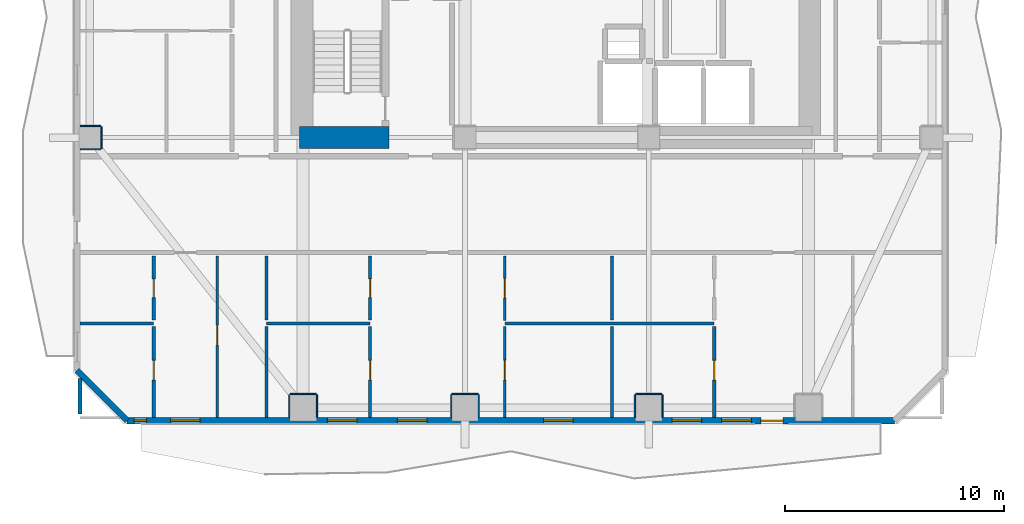
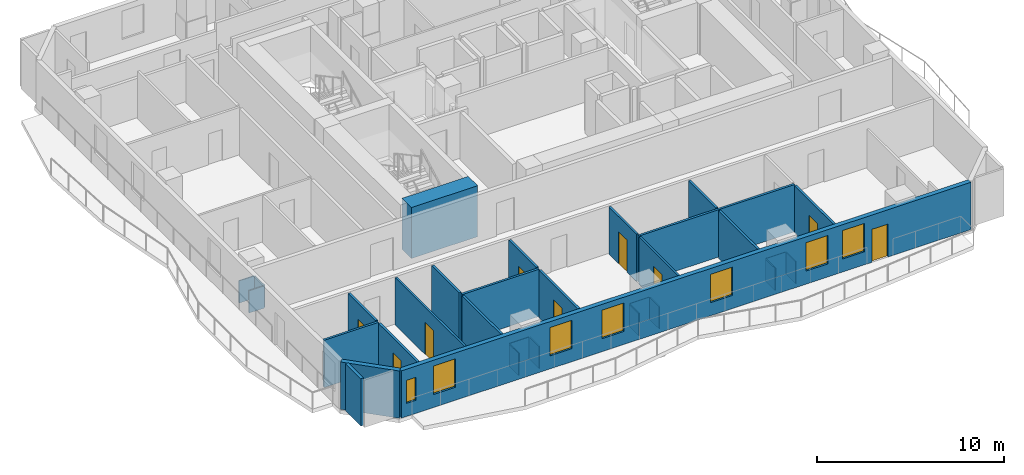
# One storey, part 2 of 11: 31 walls, 9 doors, 7 windows, 16 openings.
"""IFC4 building model written with IfcOpenShell, lengths in metres."""

import ifcopenshell
import ifcopenshell.guid

model = None  # the IFC model being written
_history = None  # IfcOwnerHistory: only IFC2X3 demands one
_inside = {}  # id of a spatial element -> (the spatial element, [elements in it])
_under = {}  # id of a project, library or spatial element -> (it, [spatial elements below it])
_declared = {}  # id of a project -> (the project, [libraries it declares])
_typed = {}  # id of a type object -> (the type object, [elements of that type])
_made_of = {}  # id of a material, layer set ... -> (it, [elements and type objects made of it])


def new_model(schema):
    """Start an empty IFC model of exactly this schema.

    Asked for "IFC4X3", IfcOpenShell would pick the latest addendum, in which some entities
    have other attributes; the version numbers below select the first issue.
    IFC2X3 requires an IfcOwnerHistory on every rooted entity: one is made here for all.
    """
    global model, _history
    if schema == "IFC4X3":
        model = ifcopenshell.file(schema_version=(4, 3, 0, 0))
    else:
        model = ifcopenshell.file(schema=schema)
    _inside.clear()
    _under.clear()
    _declared.clear()
    _typed.clear()
    _made_of.clear()
    _history = None
    if model.schema == "IFC2X3":
        org = make("IfcOrganization", Name="unknown")
        user = make(
            "IfcPersonAndOrganization",
            ThePerson=make("IfcPerson", FamilyName="unknown"),
            TheOrganization=org,
        )
        app = make(
            "IfcApplication",
            ApplicationDeveloper=org,
            Version="unknown",
            ApplicationFullName="unknown",
            ApplicationIdentifier="unknown",
        )
        _history = make(
            "IfcOwnerHistory",
            OwningUser=user,
            OwningApplication=app,
            ChangeAction="ADDED",
            CreationDate=0,
        )
    return model


def make(cls, **values):
    """One entity of the class cls with the attributes given. An attribute that is None is left unset."""
    return model.create_entity(
        cls, **{name: value for name, value in values.items() if value is not None}
    )


def rooted(cls, **values):
    """An entity with a GlobalId (a new one), such as an element, a storey or a relation."""
    return make(cls, GlobalId=ifcopenshell.guid.new(), OwnerHistory=_history, **values)


def si_unit(unit_type, name, prefix=None):
    """IfcSIUnit, for example si_unit("LENGTHUNIT", "METRE", prefix="MILLI")."""
    return make("IfcSIUnit", UnitType=unit_type, Prefix=prefix, Name=name)


def assignment(units):
    """IfcUnitAssignment: the units of a project."""
    return None if units is None else make("IfcUnitAssignment", Units=units)


def point(xyz):
    """IfcCartesianPoint."""
    return None if xyz is None else make("IfcCartesianPoint", Coordinates=xyz)


def direction(xyz):
    """IfcDirection."""
    return None if xyz is None else make("IfcDirection", DirectionRatios=xyz)


def frame(location, z_axis=None, x_axis=None):
    """IfcAxis2Placement3D, a coordinate frame: its origin and axes. An axis left out is left unset."""
    return make(
        "IfcAxis2Placement3D",
        Location=point(location),
        Axis=direction(z_axis),
        RefDirection=direction(x_axis),
    )


def frame_2d(location, x_axis=None):
    """IfcAxis2Placement2D, a coordinate frame in the plane: its origin and x axis."""
    return make(
        "IfcAxis2Placement2D", Location=point(location), RefDirection=direction(x_axis)
    )


def origin():
    """The frame at (0, 0, 0) with its axes left unset."""
    return frame((0.0, 0.0, 0.0))


def place(relative_to, where):
    """IfcLocalPlacement: puts the frame where relative to a parent placement (None: the world)."""
    return make(
        "IfcLocalPlacement", PlacementRelTo=relative_to, RelativePlacement=where
    )


def context(
    kind, dimensions, precision=None, world=None, true_north=None, identifier=None
):
    """IfcGeometricRepresentationContext, for example the 3D "Model" context."""
    return make(
        "IfcGeometricRepresentationContext",
        ContextIdentifier=identifier,
        ContextType=kind,
        CoordinateSpaceDimension=dimensions,
        Precision=precision,
        WorldCoordinateSystem=world,
        TrueNorth=true_north,
    )


def subcontext(parent, identifier, kind, view, scale=None):
    """IfcGeometricRepresentationSubContext, for example "Body" below "Model"."""
    return make(
        "IfcGeometricRepresentationSubContext",
        ContextIdentifier=identifier,
        ContextType=kind,
        ParentContext=parent,
        TargetScale=scale,
        TargetView=view,
    )


def project(units=None, contexts=None):
    """IfcProject with its units and contexts."""
    return rooted(
        "IfcProject",
        Name="project",
        RepresentationContexts=contexts,
        UnitsInContext=assignment(units),
    )


def spatial(cls, under=None, at=None, **own):
    """A site, building, storey or space (cls), placed at a placement, below another one or the project."""
    s = rooted(cls, ObjectPlacement=at, **own)
    if under is not None:
        _under.setdefault(under.id(), (under, []))[1].append(s)
    return s


def profile(cls, at=None, kind="AREA", **sizes):
    """A parametric profile (cls). Its sizes go by their IFC names, for example OverallWidth=200.0."""
    return make(cls, ProfileType=kind, Position=at, **sizes)


def rectangle(**sizes):
    """IfcRectangleProfileDef."""
    return profile("IfcRectangleProfileDef", **sizes)


def extrude(swept, where, along, depth):
    """IfcExtrudedAreaSolid: the profile swept, set in the frame where, extruded along a direction by depth."""
    return make(
        "IfcExtrudedAreaSolid",
        SweptArea=swept,
        Position=where,
        ExtrudedDirection=direction(along),
        Depth=depth,
    )


def shape(context_of_items, identifier, shape_type, items):
    """IfcShapeRepresentation: the items that make up one representation, for example the "Body"."""
    return make(
        "IfcShapeRepresentation",
        ContextOfItems=context_of_items,
        RepresentationIdentifier=identifier,
        RepresentationType=shape_type,
        Items=items,
    )


def material(Name=None, Category=None):
    """IfcMaterial."""
    return make("IfcMaterial", Name=Name, Category=Category)


def layer(
    of_material, thickness, ventilated=None, Name=None, Category=None, Priority=None
):
    """IfcMaterialLayer: one layer of a wall or slab, of a material (None: an air gap)."""
    return make(
        "IfcMaterialLayer",
        Material=of_material,
        LayerThickness=thickness,
        IsVentilated=ventilated,
        Name=Name,
        Category=Category,
        Priority=Priority,
    )


def layer_set(layers, Name=None):
    """IfcMaterialLayerSet."""
    return make("IfcMaterialLayerSet", MaterialLayers=layers, LayerSetName=Name)


def made_of(thing, what):
    """Note that an element or type object is made of a material, layer set ...; save() writes the relation."""
    if what is not None:
        _made_of.setdefault(what.id(), (what, []))[1].append(thing)
    return thing


def type_object(cls, material=None, **own):
    """A type object (cls), such as IfcWallType, which elements share."""
    return made_of(rooted(cls, **own), material)


def element(
    cls,
    number,
    at=None,
    inside=None,
    cuts=None,
    type_object=None,
    material=None,
    context=None,
    identifier="Body",
    shape_type=None,
    held_by="IfcProductDefinitionShape",
    body=None,
    shapes=None,
    **own,
):
    """One element of the class cls, such as IfcWall. Its Tag is "e" and its number.

    at: its placement. inside: the storey or other place that contains it. cuts: it is an
    opening in that element (IfcRelVoidsElement). A single representation is given by context,
    identifier, shape_type and body (its items); several are given by shapes. held_by: the class
    of the entity that holds the representations. save() writes the other relations.
    """
    e = rooted(cls, Tag="e%d" % number, ObjectPlacement=at, **own)
    if body is not None:
        shapes = [shape(context, identifier, shape_type, body)]
    if shapes is not None:
        e.Representation = make(held_by, Representations=shapes)
    if inside is not None:
        _inside.setdefault(inside.id(), (inside, []))[1].append(e)
    if cuts is not None:
        rooted(
            "IfcRelVoidsElement", RelatingBuildingElement=cuts, RelatedOpeningElement=e
        )
    if type_object is not None:
        _typed.setdefault(type_object.id(), (type_object, []))[1].append(e)
    return made_of(e, material)


def fill(opening, filler):
    """IfcRelFillsElement: the door or window that sits in an opening."""
    return rooted(
        "IfcRelFillsElement",
        RelatingOpeningElement=opening,
        RelatedBuildingElement=filler,
    )


def aggregate(whole, parts):
    """IfcRelAggregates: a whole, such as a stair, and the parts it consists of."""
    return rooted("IfcRelAggregates", RelatingObject=whole, RelatedObjects=parts)


def save(model, path):
    """Write the relations noted so far, then the file.

    IfcRelAggregates (storeys below a building ...), IfcRelContainedInSpatialStructure (elements
    in a storey), IfcRelDefinesByType, IfcRelAssociatesMaterial and IfcRelDeclares: one each for
    every whole, place, type object, material and project.
    """
    for whole, parts in _under.values():
        aggregate(whole, parts)
    for where, things in _inside.values():
        rooted(
            "IfcRelContainedInSpatialStructure",
            RelatedElements=things,
            RelatingStructure=where,
        )
    for kind, things in _typed.values():
        rooted("IfcRelDefinesByType", RelatedObjects=things, RelatingType=kind)
    for what, things in _made_of.values():
        rooted("IfcRelAssociatesMaterial", RelatedObjects=things, RelatingMaterial=what)
    for by, libraries in _declared.values():
        rooted("IfcRelDeclares", RelatingContext=by, RelatedDefinitions=libraries)
    model.write(path)


model = new_model("IFC4")

# Units and contexts
model_context = context("Model", 3, precision=1e-05, world=origin(), true_north=direction((0.0, 1.0)))
body_context = subcontext(model_context, "Body", "Model", "MODEL_VIEW")
ifc_project = project(units=[si_unit("LENGTHUNIT", "METRE"), si_unit("AREAUNIT", "SQUARE_METRE"), si_unit("VOLUMEUNIT", "CUBIC_METRE"), si_unit("PLANEANGLEUNIT", "RADIAN"), si_unit("MASSUNIT", "GRAM", prefix="KILO")], contexts=[model_context])

# Site, building, storey
site_placement = place(None, origin())
site = spatial("IfcSite", under=ifc_project, at=site_placement, CompositionType="ELEMENT")
building_placement = place(site_placement, origin())
building = spatial("IfcBuilding", under=site, at=building_placement, Name="Solanera Arch Residences", CompositionType="ELEMENT")
storey_placement = place(building_placement, frame((0.0, 0.0, 112.719970703125)))
storey = spatial("IfcBuildingStorey", under=building, at=storey_placement, Name="L32", CompositionType="ELEMENT", Elevation=112.719970703125)

# Walls
ifc_material_1 = material(Name="Fire-Rated Gypsum Stud Partition", Category="gypsum")
ifc_layer_1 = layer(ifc_material_1, 0.06005859375)
ifc_layer_set_1 = layer_set([ifc_layer_1], Name="Fire-Rated Gypsum Stud Partition")
wall_type_1 = type_object("IfcWallType", Name="Column Acoustic Furring Wall 60", PredefinedType="PARTITIONING", material=ifc_layer_set_1)
wall_1_placement = place(storey_placement, frame((12.800048828125, 10.281982421875, 0.0), z_axis=(0.0, 0.0, 1.0), x_axis=(1.0, 0.0, 0.0)))
element("IfcWall", 1, at=wall_1_placement, inside=storey, type_object=wall_type_1, Name="L32 Column Furring 9N", PredefinedType="PARTITIONING", context=body_context, shape_type="SweptSolid", body=[
    extrude(rectangle(XDim=1.199951171875, YDim=0.06005859375, at=frame_2d((0.60009765625, 0.0))), origin(), (0.0, 0.0, 1.0), 1.449951171875),
])
for number, where, z_axis, x_axis, name in (
    (2, (12.76806640625, 9.2099609375, 0.0), (0.0, 0.0, 1.0), (0.0, 1.0, 0.0), "L32 Column Furring 9W"),
    (3, (14.031982421875, 9.2099609375, 0.0), (0.0, 0.0, 1.0), (0.0, 1.0, 0.0), "L32 Column Furring 9E"),
):
    element("IfcWall", number, at=place(storey_placement, frame(where, z_axis=z_axis, x_axis=x_axis)), inside=storey, type_object=wall_type_1, Name=name, PredefinedType="PARTITIONING", context=body_context, shape_type="SweptSolid", body=[
        extrude(rectangle(XDim=1.0400390625, YDim=0.06005859375, at=frame_2d((0.52001953125, 0.0))), origin(), (0.0, 0.0, 1.0), 1.449951171875),
    ])
wall_2_placement = place(storey_placement, frame((20.199951171875, 10.281982421875, 0.0), z_axis=(0.0, 0.0, 1.0), x_axis=(1.0, 0.0, 0.0)))
element("IfcWall", 4, at=wall_2_placement, inside=storey, type_object=wall_type_1, Name="L32 Column Furring 11N", PredefinedType="PARTITIONING", context=body_context, shape_type="SweptSolid", body=[
    extrude(rectangle(XDim=1.199951171875, YDim=0.06005859375, at=frame_2d((0.60009765625, 0.0))), origin(), (0.0, 0.0, 1.0), 1.449951171875),
])
for number, where, z_axis, x_axis, name in (
    (5, (20.16796875, 9.2099609375, 0.0), (0.0, 0.0, 1.0), (0.0, 1.0, 0.0), "L32 Column Furring 11W"),
    (6, (21.431884765625, 9.2099609375, 0.0), (0.0, 0.0, 1.0), (0.0, 1.0, 0.0), "L32 Column Furring 11E"),
):
    element("IfcWall", number, at=place(storey_placement, frame(where, z_axis=z_axis, x_axis=x_axis)), inside=storey, type_object=wall_type_1, Name=name, PredefinedType="PARTITIONING", context=body_context, shape_type="SweptSolid", body=[
        extrude(rectangle(XDim=1.0400390625, YDim=0.06005859375, at=frame_2d((0.52001953125, 0.0))), origin(), (0.0, 0.0, 1.0), 1.449951171875),
    ])
wall_3_placement = place(storey_placement, frame((28.60009765625, 10.281982421875, 0.0), z_axis=(0.0, 0.0, 1.0), x_axis=(1.0, 0.0, 0.0)))
element("IfcWall", 7, at=wall_3_placement, inside=storey, type_object=wall_type_1, Name="L32 Column Furring 13N", PredefinedType="PARTITIONING", context=body_context, shape_type="SweptSolid", body=[
    extrude(rectangle(XDim=1.199951171875, YDim=0.06005859375, at=frame_2d((0.60009765625, 0.0))), origin(), (0.0, 0.0, 1.0), 1.449951171875),
])
for number, where, z_axis, x_axis, name in (
    (8, (28.568115234375, 9.2099609375, 0.0), (0.0, 0.0, 1.0), (0.0, 1.0, 0.0), "L32 Column Furring 13W"),
    (9, (29.83203125, 9.2099609375, 0.0), (0.0, 0.0, 1.0), (0.0, 1.0, 0.0), "L32 Column Furring 13E"),
):
    element("IfcWall", number, at=place(storey_placement, frame(where, z_axis=z_axis, x_axis=x_axis)), inside=storey, type_object=wall_type_1, Name=name, PredefinedType="PARTITIONING", context=body_context, shape_type="SweptSolid", body=[
        extrude(rectangle(XDim=1.0400390625, YDim=0.06005859375, at=frame_2d((0.52001953125, 0.0))), origin(), (0.0, 0.0, 1.0), 1.449951171875),
    ])
for number, where, z_axis, x_axis, name in (
    (10, (3.2099609375, 21.468017578125, 0.0), (0.0, 0.0, 1.0), (1.0, 0.0, 0.0), "L32 Column Furring 17S"),
    (11, (3.2099609375, 22.531982421875, 0.0), (0.0, 0.0, 1.0), (1.0, 0.0, 0.0), "L32 Column Furring 17N"),
):
    element("IfcWall", number, at=place(storey_placement, frame(where, z_axis=z_axis, x_axis=x_axis)), inside=storey, type_object=wall_type_1, Name=name, PredefinedType="PARTITIONING", context=body_context, shape_type="SweptSolid", body=[
        extrude(rectangle(XDim=0.93994140625, YDim=0.06005859375, at=frame_2d((0.469970703125, 0.0))), origin(), (0.0, 0.0, 1.0), 1.449951171875),
    ])
wall_4_placement = place(storey_placement, frame((4.181884765625, 21.5, 0.0), z_axis=(0.0, 0.0, 1.0), x_axis=(0.0, 1.0, 0.0)))
element("IfcWall", 12, at=wall_4_placement, inside=storey, type_object=wall_type_1, Name="L32 Column Furring 17E", PredefinedType="PARTITIONING", context=body_context, shape_type="SweptSolid", body=[
    extrude(rectangle(XDim=1.0, YDim=0.06005859375, at=frame_2d((0.5, 0.0))), origin(), (0.0, 0.0, 1.0), 1.449951171875),
])
ifc_material_2 = material(Name="Concrete C55/67 (f'c = 60 MPa)", Category="concrete")
ifc_layer_2 = layer(ifc_material_2, 1.0)
ifc_layer_set_2 = layer_set([ifc_layer_2], Name="Concrete C55/67 (f'c = 60 MPa)")
wall_type_2 = type_object("IfcWallType", Name="Core Shear Wall CW-1000", PredefinedType="SHEAR", material=ifc_layer_set_2)
wall_5_placement = place(storey_placement, frame((13.239990234375, 22.0, 0.0), z_axis=(0.0, 0.0, 1.0), x_axis=(1.0, 0.0, 0.0)))
element("IfcWall", 13, at=wall_5_placement, inside=storey, type_object=wall_type_2, Name="L32 South-West Core Shear Wall", PredefinedType="SHEAR", context=body_context, shape_type="SweptSolid", body=[
    extrude(rectangle(XDim=4.080078125, YDim=1.0, at=frame_2d((2.0400390625, 0.0))), origin(), (0.0, 0.0, 1.0), 3.320068359375),
])
ifc_material_3 = material(Name="Autoclaved Aerated Concrete Blockwork", Category="masonry")
ifc_layer_3 = layer(ifc_material_3, 0.179931640625)
ifc_layer_set_3 = layer_set([ifc_layer_3], Name="Autoclaved Aerated Concrete Blockwork")
wall_type_3 = type_object("IfcWallType", Name="Corridor Fire Partition 180", PredefinedType="PARTITIONING", material=ifc_layer_set_3)
wall_6_placement = place(storey_placement, frame((3.199951171875, 9.35791015625, 0.0), z_axis=(0.0, 0.0, 1.0), x_axis=(0.0, 1.0, 0.0)))
element("IfcWall", 14, at=wall_6_placement, inside=storey, type_object=wall_type_3, Name="L32 Interior Partition V7 1", PredefinedType="PARTITIONING", context=body_context, shape_type="SweptSolid", body=[
    extrude(rectangle(XDim=1.63720703125, YDim=0.179931640625, at=frame_2d((0.818603515625, 0.0))), origin(), (0.0, 0.0, 1.0), 3.080078125),
])

# Wall, openings, door, windows
ifc_material_4 = material(Name="Precast Concrete C35/45", Category="concrete")
ifc_layer_4 = layer(ifc_material_4, 0.280029296875)
ifc_layer_set_4 = layer_set([ifc_layer_4], Name="Precast Concrete C35/45")
wall_type_4 = type_object("IfcWallType", Name="Exterior Wall Precast Masonry-Frame 280", PredefinedType="STANDARD", material=ifc_layer_set_4)
wall_7_placement = place(storey_placement, frame((40.445068359375, 9.054931640625, 0.0), z_axis=(0.0, 0.0, 1.0), x_axis=(-1.0, 0.0, 0.0)))
wall_7 = element("IfcWall", 15, at=wall_7_placement, inside=storey, type_object=wall_type_4, Name="L32 Tower Exterior Precast Masonry-Frame Wall S", PredefinedType="STANDARD", context=body_context, shape_type="SweptSolid", body=[
    extrude(rectangle(XDim=35.090087890625, YDim=0.280029296875, at=frame_2d((17.544921875, 0.0))), origin(), (0.0, 0.0, 1.0), 3.080078125),
])
opening_1_placement = place(wall_7_placement, frame((5.114013671875, 0.0, 0.0)))
opening_1 = element("IfcOpeningElement", 16, at=opening_1_placement, cuts=wall_7, Name="Opening DB-01", PredefinedType="OPENING", context=body_context, shape_type="SweptSolid", body=[
    extrude(rectangle(XDim=1.0, YDim=2.14990234375, at=frame_2d((0.5, 1.074951171875))), frame((0.0, 0.14990234375, 0.0), z_axis=(0.0, -1.0, 0.0), x_axis=(1.0, 0.0, 0.0)), (0.0, 0.0, 1.0), 0.3),
])
opening_2_placement = place(wall_7_placement, frame((31.751953125, 0.0, 0.85009765625)))
opening_2 = element("IfcOpeningElement", 17, at=opening_2_placement, cuts=wall_7, Name="Opening W-10", PredefinedType="OPENING", context=body_context, shape_type="SweptSolid", body=[
    extrude(rectangle(XDim=1.35009765625, YDim=1.85009765625, at=frame_2d((0.675048828125, 0.925048828125))), frame((0.0, 0.14990234375, 0.0), z_axis=(0.0, -1.0, 0.0), x_axis=(1.0, 0.0, 0.0)), (0.0, 0.0, 1.0), 0.3),
])
opening_3_placement = place(wall_7_placement, frame((34.197998046875, 0.0, 0.85009765625)))
opening_3 = element("IfcOpeningElement", 18, at=opening_3_placement, cuts=wall_7, Name="Opening W-14", PredefinedType="OPENING", context=body_context, shape_type="SweptSolid", body=[
    extrude(rectangle(XDim=0.580078125, YDim=1.5, at=frame_2d((0.2900390625, 0.75))), frame((0.0, 0.14990234375, 0.0), z_axis=(0.0, -1.0, 0.0), x_axis=(1.0, 0.0, 0.0)), (0.0, 0.0, 1.0), 0.3),
])
opening_4_placement = place(wall_7_placement, frame((21.389892578125, 0.0, 0.85009765625)))
opening_4 = element("IfcOpeningElement", 19, at=opening_4_placement, cuts=wall_7, Name="Opening W-10", PredefinedType="OPENING", context=body_context, shape_type="SweptSolid", body=[
    extrude(rectangle(XDim=1.35009765625, YDim=1.85009765625, at=frame_2d((0.675048828125, 0.925048828125))), frame((0.0, 0.14990234375, 0.0), z_axis=(0.0, -1.0, 0.0), x_axis=(1.0, 0.0, 0.0)), (0.0, 0.0, 1.0), 0.3),
])
opening_5_placement = place(wall_7_placement, frame((24.590087890625, 0.0, 0.85009765625)))
opening_5 = element("IfcOpeningElement", 20, at=opening_5_placement, cuts=wall_7, Name="Opening W-10", PredefinedType="OPENING", context=body_context, shape_type="SweptSolid", body=[
    extrude(rectangle(XDim=1.35009765625, YDim=1.85009765625, at=frame_2d((0.675048828125, 0.925048828125))), frame((0.0, 0.14990234375, 0.0), z_axis=(0.0, -1.0, 0.0), x_axis=(1.0, 0.0, 0.0)), (0.0, 0.0, 1.0), 0.3),
])
opening_6_placement = place(wall_7_placement, frame((14.698974609375, 0.0, 0.85009765625)))
opening_6 = element("IfcOpeningElement", 21, at=opening_6_placement, cuts=wall_7, Name="Opening W-10", PredefinedType="OPENING", context=body_context, shape_type="SweptSolid", body=[
    extrude(rectangle(XDim=1.35009765625, YDim=1.85009765625, at=frame_2d((0.675048828125, 0.925048828125))), frame((0.0, 0.14990234375, 0.0), z_axis=(0.0, -1.0, 0.0), x_axis=(1.0, 0.0, 0.0)), (0.0, 0.0, 1.0), 0.3),
])
opening_7_placement = place(wall_7_placement, frame((6.556884765625, 0.0, 0.85009765625)))
opening_7 = element("IfcOpeningElement", 22, at=opening_7_placement, cuts=wall_7, Name="Opening W-10", PredefinedType="OPENING", context=body_context, shape_type="SweptSolid", body=[
    extrude(rectangle(XDim=1.35009765625, YDim=1.85009765625, at=frame_2d((0.675048828125, 0.925048828125))), frame((0.0, 0.14990234375, 0.0), z_axis=(0.0, -1.0, 0.0), x_axis=(1.0, 0.0, 0.0)), (0.0, 0.0, 1.0), 0.3),
])
opening_8_placement = place(wall_7_placement, frame((8.822998046875, 0.0, 0.85009765625)))
opening_8 = element("IfcOpeningElement", 23, at=opening_8_placement, cuts=wall_7, Name="Opening W-10", PredefinedType="OPENING", context=body_context, shape_type="SweptSolid", body=[
    extrude(rectangle(XDim=1.35009765625, YDim=1.85009765625, at=frame_2d((0.675048828125, 0.925048828125))), frame((0.0, 0.14990234375, 0.0), z_axis=(0.0, -1.0, 0.0), x_axis=(1.0, 0.0, 0.0)), (0.0, 0.0, 1.0), 0.3),
])
ifc_material_5 = material(Name="Anodised Aluminium Alloy 6063-T6", Category="aluminium")
door_type_1 = type_object("IfcDoorType", Name="Glazed Balcony Swing Door DB-01", OperationType="NOTDEFINED", PredefinedType="DOOR", material=ifc_material_5)
door_1_placement = place(opening_1_placement, origin())
door_1 = element("IfcDoor", 24, at=door_1_placement, inside=storey, type_object=door_type_1, Name="DR-L32-OUT-01", OperationType="SINGLE_SWING_RIGHT", OverallHeight=2.14990234375, OverallWidth=1.0, PredefinedType="DOOR", context=body_context, shape_type="SweptSolid", body=[
    extrude(rectangle(XDim=1.0, YDim=2.14990234375, at=frame_2d((0.5, 1.074951171875))), frame((0.0, 0.02490234375, 0.0), z_axis=(0.0, -1.0, 0.0), x_axis=(1.0, 0.0, 0.0)), (0.0, 0.0, 1.0), 0.050048828125),
])
fill(opening_1, door_1)
ifc_material_6 = material(Name="Double Glazed Low-E Laminated Glass", Category="glass")
window_type_1 = type_object("IfcWindowType", Name="Punched Window W-10", PartitioningType="DOUBLE_PANEL_VERTICAL", PredefinedType="WINDOW", material=ifc_material_6)
window_1_placement = place(opening_2_placement, origin())
window_1 = element("IfcWindow", 25, at=window_1_placement, inside=storey, type_object=window_type_1, Name="L32 3201-LIV Punched Window", OverallHeight=1.85009765625, OverallWidth=1.35009765625, PartitioningType="SINGLE_PANEL", PredefinedType="WINDOW", context=body_context, shape_type="SweptSolid", body=[
    extrude(rectangle(XDim=1.35009765625, YDim=1.85009765625, at=frame_2d((0.675048828125, 0.925048828125))), frame((0.0, 0.030029296875, 0.0), z_axis=(0.0, -1.0, 0.0), x_axis=(1.0, 0.0, 0.0)), (0.0, 0.0, 1.0), 0.06005859375),
])
fill(opening_2, window_1)
window_2_placement = place(opening_4_placement, origin())
window_2 = element("IfcWindow", 26, at=window_2_placement, inside=storey, type_object=window_type_1, Name="L32 3202-LIV Punched Window", OverallHeight=1.85009765625, OverallWidth=1.35009765625, PartitioningType="SINGLE_PANEL", PredefinedType="WINDOW", context=body_context, shape_type="SweptSolid", body=[
    extrude(rectangle(XDim=1.35009765625, YDim=1.85009765625, at=frame_2d((0.675048828125, 0.925048828125))), frame((0.0, 0.030029296875, 0.0), z_axis=(0.0, -1.0, 0.0), x_axis=(1.0, 0.0, 0.0)), (0.0, 0.0, 1.0), 0.06005859375),
])
fill(opening_4, window_2)
window_3_placement = place(opening_5_placement, origin())
window_3 = element("IfcWindow", 27, at=window_3_placement, inside=storey, type_object=window_type_1, Name="L32 3202-BR1 Punched Window", OverallHeight=1.85009765625, OverallWidth=1.35009765625, PartitioningType="SINGLE_PANEL", PredefinedType="WINDOW", context=body_context, shape_type="SweptSolid", body=[
    extrude(rectangle(XDim=1.35009765625, YDim=1.85009765625, at=frame_2d((0.675048828125, 0.925048828125))), frame((0.0, 0.030029296875, 0.0), z_axis=(0.0, -1.0, 0.0), x_axis=(1.0, 0.0, 0.0)), (0.0, 0.0, 1.0), 0.06005859375),
])
fill(opening_5, window_3)
window_4_placement = place(opening_6_placement, origin())
window_4 = element("IfcWindow", 28, at=window_4_placement, inside=storey, type_object=window_type_1, Name="L32 3202-BR2 Punched Window", OverallHeight=1.85009765625, OverallWidth=1.35009765625, PartitioningType="SINGLE_PANEL", PredefinedType="WINDOW", context=body_context, shape_type="SweptSolid", body=[
    extrude(rectangle(XDim=1.35009765625, YDim=1.85009765625, at=frame_2d((0.675048828125, 0.925048828125))), frame((0.0, 0.030029296875, 0.0), z_axis=(0.0, -1.0, 0.0), x_axis=(1.0, 0.0, 0.0)), (0.0, 0.0, 1.0), 0.06005859375),
])
fill(opening_6, window_4)
window_5_placement = place(opening_7_placement, origin())
window_5 = element("IfcWindow", 29, at=window_5_placement, inside=storey, type_object=window_type_1, Name="L32 3203-LIV Punched Window", OverallHeight=1.85009765625, OverallWidth=1.35009765625, PartitioningType="SINGLE_PANEL", PredefinedType="WINDOW", context=body_context, shape_type="SweptSolid", body=[
    extrude(rectangle(XDim=1.35009765625, YDim=1.85009765625, at=frame_2d((0.675048828125, 0.925048828125))), frame((0.0, 0.030029296875, 0.0), z_axis=(0.0, -1.0, 0.0), x_axis=(1.0, 0.0, 0.0)), (0.0, 0.0, 1.0), 0.06005859375),
])
fill(opening_7, window_5)
window_6_placement = place(opening_8_placement, origin())
window_6 = element("IfcWindow", 30, at=window_6_placement, inside=storey, type_object=window_type_1, Name="L32 3203-BR1 Punched Window", OverallHeight=1.85009765625, OverallWidth=1.35009765625, PartitioningType="SINGLE_PANEL", PredefinedType="WINDOW", context=body_context, shape_type="SweptSolid", body=[
    extrude(rectangle(XDim=1.35009765625, YDim=1.85009765625, at=frame_2d((0.675048828125, 0.925048828125))), frame((0.0, 0.030029296875, 0.0), z_axis=(0.0, -1.0, 0.0), x_axis=(1.0, 0.0, 0.0)), (0.0, 0.0, 1.0), 0.06005859375),
])
fill(opening_8, window_6)
ifc_material_7 = material(Name="Double Glazed Low-E Laminated Glass", Category="glass")
window_type_2 = type_object("IfcWindowType", Name="Punched Window W-14", PartitioningType="SINGLE_PANEL", PredefinedType="WINDOW", material=ifc_material_7)
window_7_placement = place(opening_3_placement, origin())
window_7 = element("IfcWindow", 31, at=window_7_placement, inside=storey, type_object=window_type_2, Name="L32 3201-BR1 Punched Window", OverallHeight=1.5, OverallWidth=0.580078125, PartitioningType="SINGLE_PANEL", PredefinedType="WINDOW", context=body_context, shape_type="SweptSolid", body=[
    extrude(rectangle(XDim=0.580078125, YDim=1.5, at=frame_2d((0.2900390625, 0.75))), frame((0.0, 0.030029296875, 0.0), z_axis=(0.0, -1.0, 0.0), x_axis=(1.0, 0.0, 0.0)), (0.0, 0.0, 1.0), 0.06005859375),
])
fill(opening_3, window_7)

# Wall
wall_8_placement = place(storey_placement, frame((5.35498046875, 9.054931640625, 0.0), z_axis=(0.0, 0.0, 1.0), x_axis=(-0.707106781187, 0.707106781187, 0.0)))
element("IfcWall", 32, at=wall_8_placement, inside=storey, type_object=wall_type_4, Name="L32 Tower Exterior Precast Masonry-Frame Wall CH7", PredefinedType="STANDARD", context=body_context, shape_type="SweptSolid", body=[
    extrude(rectangle(XDim=3.252685546875, YDim=0.280029296875, at=frame_2d((1.62646484375, 0.0))), origin(), (0.0, 0.0, 1.0), 3.080078125),
])

# Wall, opening, door
ifc_material_8 = material(Name="Fire-Rated Gypsum Stud Partition", Category="gypsum")
ifc_layer_5 = layer(ifc_material_8, 0.1201171875)
ifc_layer_set_5 = layer_set([ifc_layer_5], Name="Fire-Rated Gypsum Stud Partition")
wall_type_5 = type_object("IfcWallType", Name="Unit Drywall Partition 120", PredefinedType="PARTITIONING", material=ifc_layer_set_5)
wall_9_placement = place(storey_placement, frame((9.467041015625, 9.20703125, 0.0), z_axis=(0.0, 0.0, 1.0), x_axis=(0.0, 1.0, 0.0)))
wall_9 = element("IfcWall", 33, at=wall_9_placement, inside=storey, type_object=wall_type_5, Name="L32 Interior Partition V25", PredefinedType="PARTITIONING", context=body_context, shape_type="SweptSolid", body=[
    extrude(rectangle(XDim=7.385009765625, YDim=0.1201171875, at=frame_2d((3.6923828125, 0.0))), origin(), (0.0, 0.0, 1.0), 3.080078125),
])
opening_9_placement = place(wall_9_placement, frame((3.318115234375, 0.0, 0.0)))
opening_9 = element("IfcOpeningElement", 34, at=opening_9_placement, cuts=wall_9, Name="Opening DI-02", PredefinedType="OPENING", context=body_context, shape_type="SweptSolid", body=[
    extrude(rectangle(XDim=0.89990234375, YDim=2.10009765625, at=frame_2d((0.449951171875, 1.050048828125))), frame((0.0, 0.070068359375, 0.0), z_axis=(0.0, -1.0, 0.0), x_axis=(1.0, 0.0, 0.0)), (0.0, 0.0, 1.0), 0.1401),
])
ifc_material_9 = material(Name="Fire-Rated Architectural Hardwood", Category="wood")
door_type_2 = type_object("IfcDoorType", Name="Suite Room Swing Door DI-02", OperationType="NOTDEFINED", PredefinedType="DOOR", material=ifc_material_9)
door_2_placement = place(opening_9_placement, origin())
door_2 = element("IfcDoor", 35, at=door_2_placement, inside=storey, type_object=door_type_2, Name="DR-L32-IN-019", OperationType="SINGLE_SWING_RIGHT", OverallHeight=2.10009765625, OverallWidth=0.89990234375, PredefinedType="DOOR", context=body_context, shape_type="SweptSolid", body=[
    extrude(rectangle(XDim=0.89990234375, YDim=2.10009765625, at=frame_2d((0.449951171875, 1.050048828125))), frame((0.0, 0.02490234375, 0.0), z_axis=(0.0, -1.0, 0.0), x_axis=(1.0, 0.0, 0.0)), (0.0, 0.0, 1.0), 0.050048828125),
])
fill(opening_9, door_2)

wall_10_placement = place(storey_placement, frame((22.6220703125, 9.20703125, 0.0), z_axis=(0.0, 0.0, 1.0), x_axis=(0.0, 1.0, 0.0)))
wall_10 = element("IfcWall", 36, at=wall_10_placement, inside=storey, type_object=wall_type_5, Name="L32 Interior Partition V27 1", PredefinedType="PARTITIONING", context=body_context, shape_type="SweptSolid", body=[
    extrude(rectangle(XDim=4.158935546875, YDim=0.1201171875, at=frame_2d((2.07958984375, 0.0))), origin(), (0.0, 0.0, 1.0), 3.080078125),
])
opening_10_placement = place(wall_10_placement, frame((1.7080078125, 0.0, 0.0)))
opening_10 = element("IfcOpeningElement", 37, at=opening_10_placement, cuts=wall_10, Name="Opening DI-03", PredefinedType="OPENING", context=body_context, shape_type="SweptSolid", body=[
    extrude(rectangle(XDim=0.89990234375, YDim=2.10009765625, at=frame_2d((0.449951171875, 1.050048828125))), frame((0.0, 0.070068359375, 0.0), z_axis=(0.0, -1.0, 0.0), x_axis=(1.0, 0.0, 0.0)), (0.0, 0.0, 1.0), 0.1401),
])
ifc_material_10 = material(Name="Fire-Rated Architectural Hardwood", Category="wood")
door_type_3 = type_object("IfcDoorType", Name="Bedroom Swing Door DI-03", OperationType="NOTDEFINED", PredefinedType="DOOR", material=ifc_material_10)
door_3_placement = place(opening_10_placement, origin())
door_3 = element("IfcDoor", 38, at=door_3_placement, inside=storey, type_object=door_type_3, Name="DR-L32-IN-024", OperationType="SINGLE_SWING_LEFT", OverallHeight=2.10009765625, OverallWidth=0.89990234375, PredefinedType="DOOR", context=body_context, shape_type="SweptSolid", body=[
    extrude(rectangle(XDim=0.89990234375, YDim=2.10009765625, at=frame_2d((0.449951171875, 1.050048828125))), frame((0.0, 0.02490234375, 0.0), z_axis=(0.0, -1.0, 0.0), x_axis=(1.0, 0.0, 0.0)), (0.0, 0.0, 1.0), 0.050048828125),
])
fill(opening_10, door_3)

wall_11_placement = place(storey_placement, frame((22.6220703125, 13.64208984375, 0.0), z_axis=(0.0, 0.0, 1.0), x_axis=(0.0, 1.0, 0.0)))
wall_11 = element("IfcWall", 39, at=wall_11_placement, inside=storey, type_object=wall_type_5, Name="L32 Interior Partition V27 2", PredefinedType="PARTITIONING", context=body_context, shape_type="SweptSolid", body=[
    extrude(rectangle(XDim=2.949951171875, YDim=0.1201171875, at=frame_2d((1.47509765625, 0.0))), origin(), (0.0, 0.0, 1.0), 3.080078125),
])
opening_11_placement = place(wall_11_placement, frame((1.02197265625, 0.0, 0.0)))
opening_11 = element("IfcOpeningElement", 40, at=opening_11_placement, cuts=wall_11, Name="Opening DI-02", PredefinedType="OPENING", context=body_context, shape_type="SweptSolid", body=[
    extrude(rectangle(XDim=0.89990234375, YDim=2.10009765625, at=frame_2d((0.449951171875, 1.050048828125))), frame((0.0, 0.070068359375, 0.0), z_axis=(0.0, -1.0, 0.0), x_axis=(1.0, 0.0, 0.0)), (0.0, 0.0, 1.0), 0.1401),
])
door_4_placement = place(opening_11_placement, origin())
door_4 = element("IfcDoor", 41, at=door_4_placement, inside=storey, type_object=door_type_2, Name="DR-L32-IN-023", OperationType="SINGLE_SWING_RIGHT", OverallHeight=2.10009765625, OverallWidth=0.89990234375, PredefinedType="DOOR", context=body_context, shape_type="SweptSolid", body=[
    extrude(rectangle(XDim=0.89990234375, YDim=2.10009765625, at=frame_2d((0.449951171875, 1.050048828125))), frame((0.0, 0.02490234375, 0.0), z_axis=(0.0, -1.0, 0.0), x_axis=(1.0, 0.0, 0.0)), (0.0, 0.0, 1.0), 0.050048828125),
])
fill(opening_11, door_4)

# Walls
ifc_material_11 = material(Name="Autoclaved Aerated Concrete Blockwork", Category="masonry")
ifc_layer_6 = layer(ifc_material_11, 0.139892578125)
ifc_layer_set_6 = layer_set([ifc_layer_6], Name="Autoclaved Aerated Concrete Blockwork")
wall_type_6 = type_object("IfcWallType", Name="Wet-Room Partition 140", PredefinedType="PARTITIONING", material=ifc_layer_set_6)
wall_12_placement = place(storey_placement, frame((3.20703125, 13.50390625, 0.0), z_axis=(0.0, 0.0, 1.0), x_axis=(1.0, 0.0, 0.0)))
element("IfcWall", 42, at=wall_12_placement, inside=storey, type_object=wall_type_6, Name="L32 Interior Partition H12", PredefinedType="PARTITIONING", context=body_context, shape_type="SweptSolid", body=[
    extrude(rectangle(XDim=3.362060546875, YDim=0.139892578125, at=frame_2d((1.68115234375, 0.0))), origin(), (0.0, 0.0, 1.0), 3.080078125),
])
wall_13_placement = place(storey_placement, frame((11.719970703125, 13.50390625, 0.0), z_axis=(0.0, 0.0, 1.0), x_axis=(1.0, 0.0, 0.0)))
element("IfcWall", 43, at=wall_13_placement, inside=storey, type_object=wall_type_6, Name="L32 Interior Partition H13", PredefinedType="PARTITIONING", context=body_context, shape_type="SweptSolid", body=[
    extrude(rectangle(XDim=4.739990234375, YDim=0.139892578125, at=frame_2d((2.3701171875, 0.0))), origin(), (0.0, 0.0, 1.0), 3.080078125),
])
wall_14_placement = place(storey_placement, frame((22.6220703125, 13.50390625, 0.0), z_axis=(0.0, 0.0, 1.0), x_axis=(1.0, 0.0, 0.0)))
element("IfcWall", 44, at=wall_14_placement, inside=storey, type_object=wall_type_6, Name="L32 Interior Partition H14", PredefinedType="PARTITIONING", context=body_context, shape_type="SweptSolid", body=[
    extrude(rectangle(XDim=9.572998046875, YDim=0.139892578125, at=frame_2d((4.78662109375, 0.0))), origin(), (0.0, 0.0, 1.0), 3.080078125),
])

# Wall, opening, door
wall_15_placement = place(storey_placement, frame((6.569091796875, 9.20703125, 0.0), z_axis=(0.0, 0.0, 1.0), x_axis=(0.0, 1.0, 0.0)))
wall_15 = element("IfcWall", 45, at=wall_15_placement, inside=storey, type_object=wall_type_6, Name="L32 Interior Partition V16 1", PredefinedType="PARTITIONING", context=body_context, shape_type="SweptSolid", body=[
    extrude(rectangle(XDim=4.14892578125, YDim=0.139892578125, at=frame_2d((2.074462890625, 0.0))), origin(), (0.0, 0.0, 1.0), 3.080078125),
])
opening_12_placement = place(wall_15_placement, frame((1.7080078125, 0.0, 0.0)))
opening_12 = element("IfcOpeningElement", 46, at=opening_12_placement, cuts=wall_15, Name="Opening DI-03", PredefinedType="OPENING", context=body_context, shape_type="SweptSolid", body=[
    extrude(rectangle(XDim=0.89990234375, YDim=2.10009765625, at=frame_2d((0.449951171875, 1.050048828125))), frame((0.0, 0.079833984375, 0.0), z_axis=(0.0, -1.0, 0.0), x_axis=(1.0, 0.0, 0.0)), (0.0, 0.0, 1.0), 0.1599),
])
door_5_placement = place(opening_12_placement, origin())
door_5 = element("IfcDoor", 47, at=door_5_placement, inside=storey, type_object=door_type_3, Name="DR-L32-IN-018", OperationType="SINGLE_SWING_LEFT", OverallHeight=2.10009765625, OverallWidth=0.89990234375, PredefinedType="DOOR", context=body_context, shape_type="SweptSolid", body=[
    extrude(rectangle(XDim=0.89990234375, YDim=2.10009765625, at=frame_2d((0.449951171875, 1.050048828125))), frame((0.0, 0.02490234375, 0.0), z_axis=(0.0, -1.0, 0.0), x_axis=(1.0, 0.0, 0.0)), (0.0, 0.0, 1.0), 0.050048828125),
])
fill(opening_12, door_5)

wall_16_placement = place(storey_placement, frame((6.569091796875, 13.652099609375, 0.0), z_axis=(0.0, 0.0, 1.0), x_axis=(0.0, 1.0, 0.0)))
wall_16 = element("IfcWall", 48, at=wall_16_placement, inside=storey, type_object=wall_type_6, Name="L32 Interior Partition V16 2", PredefinedType="PARTITIONING", context=body_context, shape_type="SweptSolid", body=[
    extrude(rectangle(XDim=2.929931640625, YDim=0.139892578125, at=frame_2d((1.46484375, 0.0))), origin(), (0.0, 0.0, 1.0), 3.080078125),
])
opening_13_placement = place(wall_16_placement, frame((1.031982421875, 0.0, 0.0)))
opening_13 = element("IfcOpeningElement", 49, at=opening_13_placement, cuts=wall_16, Name="Opening DI-05", PredefinedType="OPENING", context=body_context, shape_type="SweptSolid", body=[
    extrude(rectangle(XDim=0.860107421875, YDim=2.02001953125, at=frame_2d((0.43017578125, 1.010009765625))), frame((0.0, 0.079833984375, 0.0), z_axis=(0.0, -1.0, 0.0), x_axis=(1.0, 0.0, 0.0)), (0.0, 0.0, 1.0), 0.1599),
])
ifc_material_12 = material(Name="Fire-Rated Architectural Hardwood", Category="wood")
door_type_4 = type_object("IfcDoorType", Name="Bathroom Swing Door DI-05", OperationType="NOTDEFINED", PredefinedType="DOOR", material=ifc_material_12)
door_6_placement = place(opening_13_placement, origin())
door_6 = element("IfcDoor", 50, at=door_6_placement, inside=storey, type_object=door_type_4, Name="DR-L32-IN-017", OperationType="SINGLE_SWING_RIGHT", OverallHeight=2.02001953125, OverallWidth=0.860107421875, PredefinedType="DOOR", context=body_context, shape_type="SweptSolid", body=[
    extrude(rectangle(XDim=0.860107421875, YDim=2.02001953125, at=frame_2d((0.43017578125, 1.010009765625))), frame((0.0, 0.02490234375, 0.0), z_axis=(0.0, -1.0, 0.0), x_axis=(1.0, 0.0, 0.0)), (0.0, 0.0, 1.0), 0.050048828125),
])
fill(opening_13, door_6)

# Walls
wall_17_placement = place(storey_placement, frame((11.719970703125, 9.20703125, 0.0), z_axis=(0.0, 0.0, 1.0), x_axis=(0.0, 1.0, 0.0)))
element("IfcWall", 51, at=wall_17_placement, inside=storey, type_object=wall_type_6, Name="L32 Interior Partition V19 1", PredefinedType="PARTITIONING", context=body_context, shape_type="SweptSolid", body=[
    extrude(rectangle(XDim=4.14892578125, YDim=0.139892578125, at=frame_2d((2.074462890625, 0.0))), origin(), (0.0, 0.0, 1.0), 3.080078125),
])
wall_18_placement = place(storey_placement, frame((11.719970703125, 13.652099609375, 0.0), z_axis=(0.0, 0.0, 1.0), x_axis=(0.0, 1.0, 0.0)))
element("IfcWall", 52, at=wall_18_placement, inside=storey, type_object=wall_type_6, Name="L32 Interior Partition V19 2", PredefinedType="PARTITIONING", context=body_context, shape_type="SweptSolid", body=[
    extrude(rectangle(XDim=2.929931640625, YDim=0.139892578125, at=frame_2d((1.46484375, 0.0))), origin(), (0.0, 0.0, 1.0), 3.080078125),
])

# Wall, opening, door
wall_19_placement = place(storey_placement, frame((16.4599609375, 9.20703125, 0.0), z_axis=(0.0, 0.0, 1.0), x_axis=(0.0, 1.0, 0.0)))
wall_19 = element("IfcWall", 53, at=wall_19_placement, inside=storey, type_object=wall_type_6, Name="L32 Interior Partition V20 1", PredefinedType="PARTITIONING", context=body_context, shape_type="SweptSolid", body=[
    extrude(rectangle(XDim=4.14892578125, YDim=0.139892578125, at=frame_2d((2.074462890625, 0.0))), origin(), (0.0, 0.0, 1.0), 3.080078125),
])
opening_14_placement = place(wall_19_placement, frame((1.7080078125, 0.0, 0.0)))
opening_14 = element("IfcOpeningElement", 54, at=opening_14_placement, cuts=wall_19, Name="Opening DI-03", PredefinedType="OPENING", context=body_context, shape_type="SweptSolid", body=[
    extrude(rectangle(XDim=0.89990234375, YDim=2.10009765625, at=frame_2d((0.449951171875, 1.050048828125))), frame((0.0, 0.079833984375, 0.0), z_axis=(0.0, -1.0, 0.0), x_axis=(1.0, 0.0, 0.0)), (0.0, 0.0, 1.0), 0.1599),
])
door_7_placement = place(opening_14_placement, origin())
door_7 = element("IfcDoor", 55, at=door_7_placement, inside=storey, type_object=door_type_3, Name="DR-L32-IN-022", OperationType="SINGLE_SWING_LEFT", OverallHeight=2.10009765625, OverallWidth=0.89990234375, PredefinedType="DOOR", context=body_context, shape_type="SweptSolid", body=[
    extrude(rectangle(XDim=0.89990234375, YDim=2.10009765625, at=frame_2d((0.449951171875, 1.050048828125))), frame((0.0, 0.02490234375, 0.0), z_axis=(0.0, -1.0, 0.0), x_axis=(1.0, 0.0, 0.0)), (0.0, 0.0, 1.0), 0.050048828125),
])
fill(opening_14, door_7)

wall_20_placement = place(storey_placement, frame((16.4599609375, 13.652099609375, 0.0), z_axis=(0.0, 0.0, 1.0), x_axis=(0.0, 1.0, 0.0)))
wall_20 = element("IfcWall", 56, at=wall_20_placement, inside=storey, type_object=wall_type_6, Name="L32 Interior Partition V20 2", PredefinedType="PARTITIONING", context=body_context, shape_type="SweptSolid", body=[
    extrude(rectangle(XDim=2.929931640625, YDim=0.139892578125, at=frame_2d((1.46484375, 0.0))), origin(), (0.0, 0.0, 1.0), 3.080078125),
])
opening_15_placement = place(wall_20_placement, frame((1.031982421875, 0.0, 0.0)))
opening_15 = element("IfcOpeningElement", 57, at=opening_15_placement, cuts=wall_20, Name="Opening DI-05", PredefinedType="OPENING", context=body_context, shape_type="SweptSolid", body=[
    extrude(rectangle(XDim=0.860107421875, YDim=2.02001953125, at=frame_2d((0.43017578125, 1.010009765625))), frame((0.0, 0.079833984375, 0.0), z_axis=(0.0, -1.0, 0.0), x_axis=(1.0, 0.0, 0.0)), (0.0, 0.0, 1.0), 0.1599),
])
door_8_placement = place(opening_15_placement, origin())
door_8 = element("IfcDoor", 58, at=door_8_placement, inside=storey, type_object=door_type_4, Name="DR-L32-IN-021", OperationType="SINGLE_SWING_RIGHT", OverallHeight=2.02001953125, OverallWidth=0.860107421875, PredefinedType="DOOR", context=body_context, shape_type="SweptSolid", body=[
    extrude(rectangle(XDim=0.860107421875, YDim=2.02001953125, at=frame_2d((0.43017578125, 1.010009765625))), frame((0.0, 0.02490234375, 0.0), z_axis=(0.0, -1.0, 0.0), x_axis=(1.0, 0.0, 0.0)), (0.0, 0.0, 1.0), 0.050048828125),
])
fill(opening_15, door_8)

# Walls
wall_21_placement = place(storey_placement, frame((27.52001953125, 9.20703125, 0.0), z_axis=(0.0, 0.0, 1.0), x_axis=(0.0, 1.0, 0.0)))
element("IfcWall", 59, at=wall_21_placement, inside=storey, type_object=wall_type_6, Name="L32 Interior Partition V22 1", PredefinedType="PARTITIONING", context=body_context, shape_type="SweptSolid", body=[
    extrude(rectangle(XDim=4.14892578125, YDim=0.139892578125, at=frame_2d((2.074462890625, 0.0))), origin(), (0.0, 0.0, 1.0), 3.080078125),
])
wall_22_placement = place(storey_placement, frame((27.52001953125, 13.652099609375, 0.0), z_axis=(0.0, 0.0, 1.0), x_axis=(0.0, 1.0, 0.0)))
element("IfcWall", 60, at=wall_22_placement, inside=storey, type_object=wall_type_6, Name="L32 Interior Partition V22 2", PredefinedType="PARTITIONING", context=body_context, shape_type="SweptSolid", body=[
    extrude(rectangle(XDim=2.929931640625, YDim=0.139892578125, at=frame_2d((1.46484375, 0.0))), origin(), (0.0, 0.0, 1.0), 3.080078125),
])

# Wall, opening, door
wall_23_placement = place(storey_placement, frame((32.195068359375, 9.20703125, 0.0), z_axis=(0.0, 0.0, 1.0), x_axis=(0.0, 1.0, 0.0)))
wall_23 = element("IfcWall", 61, at=wall_23_placement, inside=storey, type_object=wall_type_6, Name="L32 Interior Partition V24 1", PredefinedType="PARTITIONING", context=body_context, shape_type="SweptSolid", body=[
    extrude(rectangle(XDim=4.14892578125, YDim=0.139892578125, at=frame_2d((2.074462890625, 0.0))), origin(), (0.0, 0.0, 1.0), 3.080078125),
])
opening_16_placement = place(wall_23_placement, frame((1.7080078125, 0.0, 0.0)))
opening_16 = element("IfcOpeningElement", 62, at=opening_16_placement, cuts=wall_23, Name="Opening DI-03", PredefinedType="OPENING", context=body_context, shape_type="SweptSolid", body=[
    extrude(rectangle(XDim=0.89990234375, YDim=2.10009765625, at=frame_2d((0.449951171875, 1.050048828125))), frame((0.0, 0.079833984375, 0.0), z_axis=(0.0, -1.0, 0.0), x_axis=(1.0, 0.0, 0.0)), (0.0, 0.0, 1.0), 0.1599),
])
door_9_placement = place(opening_16_placement, origin())
door_9 = element("IfcDoor", 63, at=door_9_placement, inside=storey, type_object=door_type_3, Name="DR-L32-IN-027", OperationType="SINGLE_SWING_RIGHT", OverallHeight=2.10009765625, OverallWidth=0.89990234375, PredefinedType="DOOR", context=body_context, shape_type="SweptSolid", body=[
    extrude(rectangle(XDim=0.89990234375, YDim=2.10009765625, at=frame_2d((0.449951171875, 1.050048828125))), frame((0.0, 0.02490234375, 0.0), z_axis=(0.0, -1.0, 0.0), x_axis=(1.0, 0.0, 0.0)), (0.0, 0.0, 1.0), 0.050048828125),
])
fill(opening_16, door_9)

save(model, "model.ifc")
